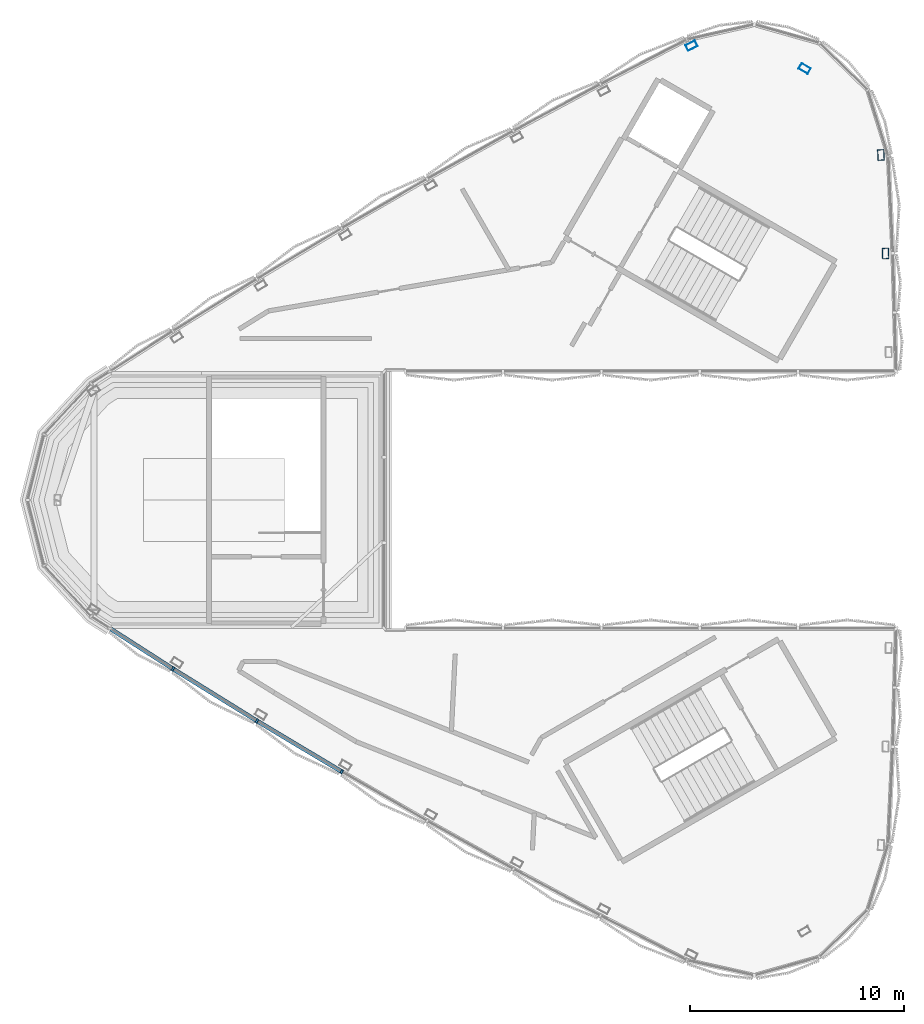
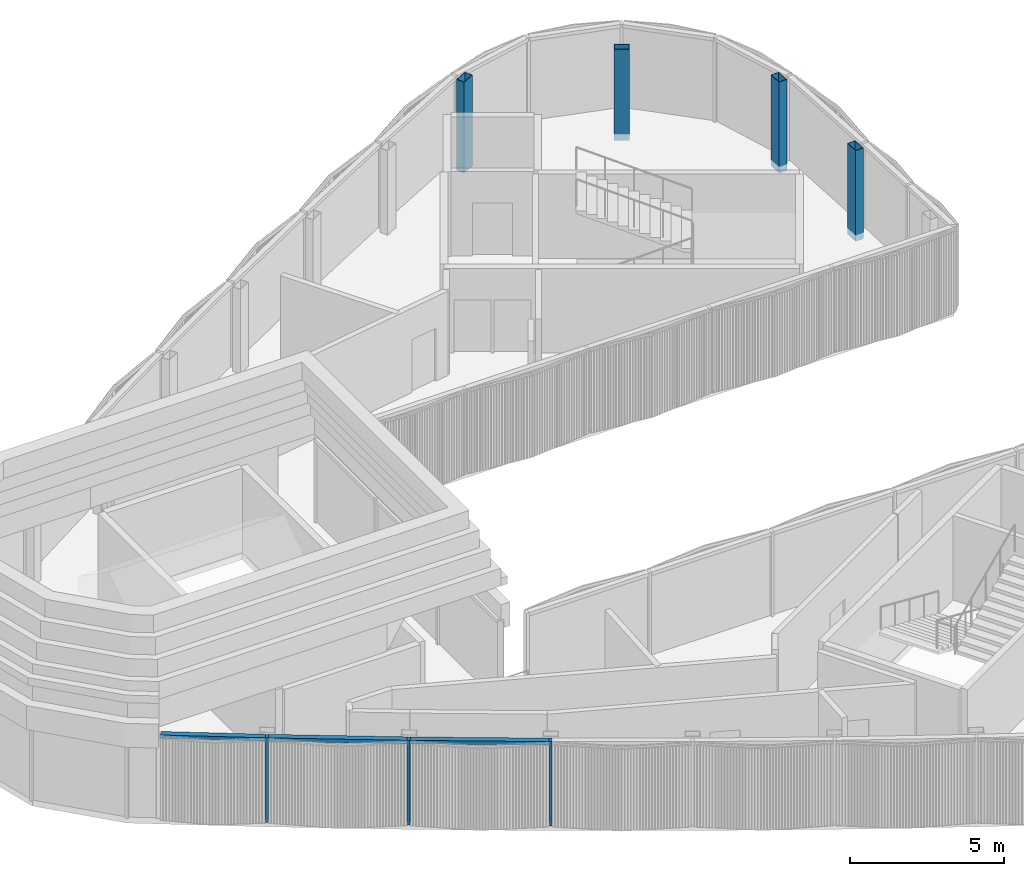
# One storey, part 2 of 16: 6 members, 4 columns, 1 element without a shape of its own.
"""IFC4 building model written with IfcOpenShell, lengths in metres."""

import ifcopenshell
import ifcopenshell.guid

model = None  # the IFC model being written
_history = None  # IfcOwnerHistory: only IFC2X3 demands one
_inside = {}  # id of a spatial element -> (the spatial element, [elements in it])
_under = {}  # id of a project, library or spatial element -> (it, [spatial elements below it])
_declared = {}  # id of a project -> (the project, [libraries it declares])
_typed = {}  # id of a type object -> (the type object, [elements of that type])
_made_of = {}  # id of a material, layer set ... -> (it, [elements and type objects made of it])


def new_model(schema):
    """Start an empty IFC model of exactly this schema.

    Asked for "IFC4X3", IfcOpenShell would pick the latest addendum, in which some entities
    have other attributes; the version numbers below select the first issue.
    IFC2X3 requires an IfcOwnerHistory on every rooted entity: one is made here for all.
    """
    global model, _history
    if schema == "IFC4X3":
        model = ifcopenshell.file(schema_version=(4, 3, 0, 0))
    else:
        model = ifcopenshell.file(schema=schema)
    _inside.clear()
    _under.clear()
    _declared.clear()
    _typed.clear()
    _made_of.clear()
    _history = None
    if model.schema == "IFC2X3":
        org = make("IfcOrganization", Name="unknown")
        user = make(
            "IfcPersonAndOrganization",
            ThePerson=make("IfcPerson", FamilyName="unknown"),
            TheOrganization=org,
        )
        app = make(
            "IfcApplication",
            ApplicationDeveloper=org,
            Version="unknown",
            ApplicationFullName="unknown",
            ApplicationIdentifier="unknown",
        )
        _history = make(
            "IfcOwnerHistory",
            OwningUser=user,
            OwningApplication=app,
            ChangeAction="ADDED",
            CreationDate=0,
        )
    return model


def make(cls, **values):
    """One entity of the class cls with the attributes given. An attribute that is None is left unset."""
    return model.create_entity(
        cls, **{name: value for name, value in values.items() if value is not None}
    )


def rooted(cls, **values):
    """An entity with a GlobalId (a new one), such as an element, a storey or a relation."""
    return make(cls, GlobalId=ifcopenshell.guid.new(), OwnerHistory=_history, **values)


def si_unit(unit_type, name, prefix=None):
    """IfcSIUnit, for example si_unit("LENGTHUNIT", "METRE", prefix="MILLI")."""
    return make("IfcSIUnit", UnitType=unit_type, Prefix=prefix, Name=name)


def assignment(units):
    """IfcUnitAssignment: the units of a project."""
    return None if units is None else make("IfcUnitAssignment", Units=units)


def point(xyz):
    """IfcCartesianPoint."""
    return None if xyz is None else make("IfcCartesianPoint", Coordinates=xyz)


def direction(xyz):
    """IfcDirection."""
    return None if xyz is None else make("IfcDirection", DirectionRatios=xyz)


def frame(location, z_axis=None, x_axis=None):
    """IfcAxis2Placement3D, a coordinate frame: its origin and axes. An axis left out is left unset."""
    return make(
        "IfcAxis2Placement3D",
        Location=point(location),
        Axis=direction(z_axis),
        RefDirection=direction(x_axis),
    )


def frame_2d(location, x_axis=None):
    """IfcAxis2Placement2D, a coordinate frame in the plane: its origin and x axis."""
    return make(
        "IfcAxis2Placement2D", Location=point(location), RefDirection=direction(x_axis)
    )


def origin():
    """The frame at (0, 0, 0) with its axes left unset."""
    return frame((0.0, 0.0, 0.0))


def origin_2d():
    """The frame at (0, 0) in the plane with its x axis left unset."""
    return frame_2d((0.0, 0.0))


def place(relative_to, where):
    """IfcLocalPlacement: puts the frame where relative to a parent placement (None: the world)."""
    return make(
        "IfcLocalPlacement", PlacementRelTo=relative_to, RelativePlacement=where
    )


def context(
    kind, dimensions, precision=None, world=None, true_north=None, identifier=None
):
    """IfcGeometricRepresentationContext, for example the 3D "Model" context."""
    return make(
        "IfcGeometricRepresentationContext",
        ContextIdentifier=identifier,
        ContextType=kind,
        CoordinateSpaceDimension=dimensions,
        Precision=precision,
        WorldCoordinateSystem=world,
        TrueNorth=true_north,
    )


def subcontext(parent, identifier, kind, view, scale=None):
    """IfcGeometricRepresentationSubContext, for example "Body" below "Model"."""
    return make(
        "IfcGeometricRepresentationSubContext",
        ContextIdentifier=identifier,
        ContextType=kind,
        ParentContext=parent,
        TargetScale=scale,
        TargetView=view,
    )


def project(units=None, contexts=None):
    """IfcProject with its units and contexts."""
    return rooted(
        "IfcProject",
        Name="project",
        RepresentationContexts=contexts,
        UnitsInContext=assignment(units),
    )


def spatial(cls, under=None, at=None, **own):
    """A site, building, storey or space (cls), placed at a placement, below another one or the project."""
    s = rooted(cls, ObjectPlacement=at, **own)
    if under is not None:
        _under.setdefault(under.id(), (under, []))[1].append(s)
    return s


def profile(cls, at=None, kind="AREA", **sizes):
    """A parametric profile (cls). Its sizes go by their IFC names, for example OverallWidth=200.0."""
    return make(cls, ProfileType=kind, Position=at, **sizes)


def rectangle(**sizes):
    """IfcRectangleProfileDef."""
    return profile("IfcRectangleProfileDef", **sizes)


def hollow_rectangle(**sizes):
    """IfcRectangleHollowProfileDef."""
    return profile("IfcRectangleHollowProfileDef", **sizes)


def extrude(swept, where, along, depth):
    """IfcExtrudedAreaSolid: the profile swept, set in the frame where, extruded along a direction by depth."""
    return make(
        "IfcExtrudedAreaSolid",
        SweptArea=swept,
        Position=where,
        ExtrudedDirection=direction(along),
        Depth=depth,
    )


def shape(context_of_items, identifier, shape_type, items):
    """IfcShapeRepresentation: the items that make up one representation, for example the "Body"."""
    return make(
        "IfcShapeRepresentation",
        ContextOfItems=context_of_items,
        RepresentationIdentifier=identifier,
        RepresentationType=shape_type,
        Items=items,
    )


def material(Name=None, Category=None):
    """IfcMaterial."""
    return make("IfcMaterial", Name=Name, Category=Category)


def material_profile(
    of_material, cross_section, Name=None, Category=None, Priority=None
):
    """IfcMaterialProfile: a cross section and its material."""
    return make(
        "IfcMaterialProfile",
        Name=Name,
        Material=of_material,
        Profile=cross_section,
        Priority=Priority,
        Category=Category,
    )


def profile_set(profiles, Name=None, composite=None):
    """IfcMaterialProfileSet."""
    return make(
        "IfcMaterialProfileSet",
        Name=Name,
        MaterialProfiles=profiles,
        CompositeProfile=composite,
    )


def made_of(thing, what):
    """Note that an element or type object is made of a material, layer set ...; save() writes the relation."""
    if what is not None:
        _made_of.setdefault(what.id(), (what, []))[1].append(thing)
    return thing


def type_object(cls, material=None, **own):
    """A type object (cls), such as IfcWallType, which elements share."""
    return made_of(rooted(cls, **own), material)


def element(
    cls,
    number,
    at=None,
    inside=None,
    cuts=None,
    type_object=None,
    material=None,
    context=None,
    identifier="Body",
    shape_type=None,
    held_by="IfcProductDefinitionShape",
    body=None,
    shapes=None,
    **own,
):
    """One element of the class cls, such as IfcWall. Its Tag is "e" and its number.

    at: its placement. inside: the storey or other place that contains it. cuts: it is an
    opening in that element (IfcRelVoidsElement). A single representation is given by context,
    identifier, shape_type and body (its items); several are given by shapes. held_by: the class
    of the entity that holds the representations. save() writes the other relations.
    """
    e = rooted(cls, Tag="e%d" % number, ObjectPlacement=at, **own)
    if body is not None:
        shapes = [shape(context, identifier, shape_type, body)]
    if shapes is not None:
        e.Representation = make(held_by, Representations=shapes)
    if inside is not None:
        _inside.setdefault(inside.id(), (inside, []))[1].append(e)
    if cuts is not None:
        rooted(
            "IfcRelVoidsElement", RelatingBuildingElement=cuts, RelatedOpeningElement=e
        )
    if type_object is not None:
        _typed.setdefault(type_object.id(), (type_object, []))[1].append(e)
    return made_of(e, material)


def aggregate(whole, parts):
    """IfcRelAggregates: a whole, such as a stair, and the parts it consists of."""
    return rooted("IfcRelAggregates", RelatingObject=whole, RelatedObjects=parts)


def save(model, path):
    """Write the relations noted so far, then the file.

    IfcRelAggregates (storeys below a building ...), IfcRelContainedInSpatialStructure (elements
    in a storey), IfcRelDefinesByType, IfcRelAssociatesMaterial and IfcRelDeclares: one each for
    every whole, place, type object, material and project.
    """
    for whole, parts in _under.values():
        aggregate(whole, parts)
    for where, things in _inside.values():
        rooted(
            "IfcRelContainedInSpatialStructure",
            RelatedElements=things,
            RelatingStructure=where,
        )
    for kind, things in _typed.values():
        rooted("IfcRelDefinesByType", RelatedObjects=things, RelatingType=kind)
    for what, things in _made_of.values():
        rooted("IfcRelAssociatesMaterial", RelatedObjects=things, RelatingMaterial=what)
    for by, libraries in _declared.values():
        rooted("IfcRelDeclares", RelatingContext=by, RelatedDefinitions=libraries)
    model.write(path)


model = new_model("IFC4")

# Units and contexts
model_context = context("Model", 3, precision=1e-05, world=origin(), true_north=direction((0.0, 1.0)))
body_context = subcontext(model_context, "Body", "Model", "MODEL_VIEW")
ifc_project = project(units=[si_unit("LENGTHUNIT", "METRE"), si_unit("AREAUNIT", "SQUARE_METRE"), si_unit("VOLUMEUNIT", "CUBIC_METRE"), si_unit("PLANEANGLEUNIT", "RADIAN"), si_unit("MASSUNIT", "GRAM", prefix="KILO")], contexts=[model_context])

# Site, building, storey
site_placement = place(None, origin())
site = spatial("IfcSite", under=ifc_project, at=site_placement, CompositionType="ELEMENT")
building_placement = place(site_placement, origin())
building = spatial("IfcBuilding", under=site, at=building_placement, Name="Tamra Quay Hotel Tower", CompositionType="ELEMENT")
storey_placement = place(building_placement, frame((0.0, 0.0, 327.800048828125)))
storey = spatial("IfcBuildingStorey", under=building, at=storey_placement, Name="Roof crown 3", CompositionType="ELEMENT", Elevation=327.800048828125)

# Columns
ifc_material_1 = material(Name="Structural steel IS 2062 E350", Category="steel")
ifc_material_profile_1 = material_profile(ifc_material_1, hollow_rectangle(XDim=0.300048828125, YDim=0.5, WallThickness=0.01611328125, at=origin_2d()), Name="RHS 500x300x16")
ifc_profile_set_1 = profile_set([ifc_material_profile_1], Name="Structural steel IS 2062 E350")
column_type = type_object("IfcColumnType", Name="CROWN FRAME POST RHS 500x300x16", PredefinedType="COLUMN", material=ifc_profile_set_1)
for number, where, z_axis, x_axis, name in (
    (1, (15.418212890625, 11.51513671875, -0.25), (0.0, 0.0, 1.0), (0.999251212442, 0.03869127076, 0.0), "CF-A-C6E07-Roofcrown3"),
    (2, (15.202392578125, 16.116943359375, -0.25), (0.0, 0.0, 1.0), (0.998490919119, 0.05491706873, 0.0), "CF-A-C6E08-Roofcrown3"),
    (3, (11.63671875, 20.1552734375, -0.25), (0.0, 0.0, 1.0), (0.5, 0.866025403784, 0.0), "CF-A-M6NE-Roofcrown3"),
    (4, (6.3564453125, 21.22412109375, -0.25), (0.0, 0.0, 1.0), (-0.451685882938, 0.89217703577, 0.0), "CF-A-C6NW01-Roofcrown3"),
):
    element("IfcColumn", number, at=place(storey_placement, frame(where, z_axis=z_axis, x_axis=x_axis)), inside=storey, type_object=column_type, Name=name, PredefinedType="COLUMN", context=body_context, shape_type="SweptSolid", body=[
        extrude(hollow_rectangle(XDim=0.300048828125, YDim=0.5, WallThickness=0.01611328125, at=origin_2d()), origin(), (0.0, 0.0, 1.0), 3.599853515625),
    ])

# Curtain wall, members
ifc_material_2 = material(Name="Aluminium 6063 anodised dark grey", Category="aluminium")
curtain_wall_type = type_object("IfcCurtainWallType", Name="CW6 CURTAIN WALL", PredefinedType="NOTDEFINED", material=ifc_material_2)
curtain_wall_placement = place(storey_placement, origin())
curtain_wall = element("IfcCurtainWall", 5, at=curtain_wall_placement, inside=storey, type_object=curtain_wall_type, Name="CW6 lantern B face Roof crown 3", PredefinedType="NOTDEFINED")
ifc_material_profile_2 = material_profile(ifc_material_2, rectangle(XDim=0.199951171875, YDim=0.10009765625, at=origin_2d()), Name="MULLION 100X200")
ifc_profile_set_2 = profile_set([ifc_material_profile_2], Name="Aluminium 6063 anodised dark grey")
member_type_1 = type_object("IfcMemberType", Name="MULLION CW6", PredefinedType="MULLION", material=ifc_profile_set_2)
member_1_placement = place(storey_placement, frame((-17.867919921875, -7.89111328125, 0.0), z_axis=(0.0, 0.0, 1.0), x_axis=(-0.533422330848, -0.845849050926, 0.0)))
member_1 = element("IfcMember", 6, at=member_1_placement, type_object=member_type_1, Name="CW6 mullion Roof crown 3.B.7", PredefinedType="MULLION", context=body_context, shape_type="SweptSolid", body=[
    extrude(rectangle(XDim=0.199951171875, YDim=0.10009765625, at=origin_2d()), origin(), (0.0, 0.0, 1.0), 3.349853515625),
])
member_2_placement = place(storey_placement, frame((-13.947509765625, -10.321044921875, 0.0), z_axis=(0.0, 0.0, 1.0), x_axis=(-0.520160185397, -0.854068721783, 0.0)))
member_2 = element("IfcMember", 7, at=member_2_placement, type_object=member_type_1, Name="CW6 mullion Roof crown 3.B.8", PredefinedType="MULLION", context=body_context, shape_type="SweptSolid", body=[
    extrude(rectangle(XDim=0.199951171875, YDim=0.10009765625, at=origin_2d()), origin(), (0.0, 0.0, 1.0), 3.349853515625),
])
member_3_placement = place(storey_placement, frame((-9.989501953125, -12.689453125, 0.0), z_axis=(0.0, 0.0, 1.0), x_axis=(-0.506753731218, -0.862090862901, 0.0)))
member_3 = element("IfcMember", 8, at=member_3_placement, type_object=member_type_1, Name="CW6 mullion Roof crown 3.B.9", PredefinedType="MULLION", context=body_context, shape_type="SweptSolid", body=[
    extrude(rectangle(XDim=0.199951171875, YDim=0.10009765625, at=origin_2d()), origin(), (0.0, 0.0, 1.0), 3.349853515625),
])
ifc_material_profile_3 = material_profile(ifc_material_2, rectangle(XDim=0.199951171875, YDim=0.139892578125, at=origin_2d()), Name="TRANSOM 200X140")
ifc_profile_set_3 = profile_set([ifc_material_profile_3], Name="Aluminium 6063 anodised dark grey")
member_type_2 = type_object("IfcMemberType", Name="TRANSOM CW6", PredefinedType="USERDEFINED", material=ifc_profile_set_3)
member_4_placement = place(storey_placement, frame((-20.7734375, -6.027099609375, 3.280029296875), z_axis=(0.841670083092, -0.53999210293, 0.0), x_axis=(0.53999210293, 0.841670083092, 0.0)))
member_4 = element("IfcMember", 9, at=member_4_placement, type_object=member_type_2, Name="CW6 transom Roof crown 3.B.6", ObjectType="TRANSOM", PredefinedType="USERDEFINED", context=body_context, shape_type="SweptSolid", body=[
    extrude(rectangle(XDim=0.199951171875, YDim=0.139892578125, at=origin_2d()), origin(), (0.0, 0.0, 1.0), 3.402099609375),
])
member_5_placement = place(storey_placement, frame((-17.825439453125, -7.91748046875, 3.280029296875), z_axis=(0.849980220175, -0.526814602409, 0.0), x_axis=(0.526814602409, 0.849980220175, 0.0)))
member_5 = element("IfcMember", 10, at=member_5_placement, type_object=member_type_2, Name="CW6 transom Roof crown 3.B.7", ObjectType="TRANSOM", PredefinedType="USERDEFINED", context=body_context, shape_type="SweptSolid", body=[
    extrude(rectangle(XDim=0.199951171875, YDim=0.139892578125, at=origin_2d()), origin(), (0.0, 0.0, 1.0), 4.512451171875),
])
member_6_placement = place(storey_placement, frame((-13.904541015625, -10.3466796875, 3.280029296875), z_axis=(0.858103349305, -0.513477012058, 0.0), x_axis=(0.513477012058, 0.858103349305, 0.0)))
member_6 = element("IfcMember", 11, at=member_6_placement, type_object=member_type_2, Name="CW6 transom Roof crown 3.B.8", ObjectType="TRANSOM", PredefinedType="USERDEFINED", context=body_context, shape_type="SweptSolid", body=[
    extrude(rectangle(XDim=0.199951171875, YDim=0.139892578125, at=origin_2d()), origin(), (0.0, 0.0, 1.0), 4.5126953125),
])
aggregate(curtain_wall, [member_4, member_1, member_5, member_2, member_6, member_3])

save(model, "model.ifc")
